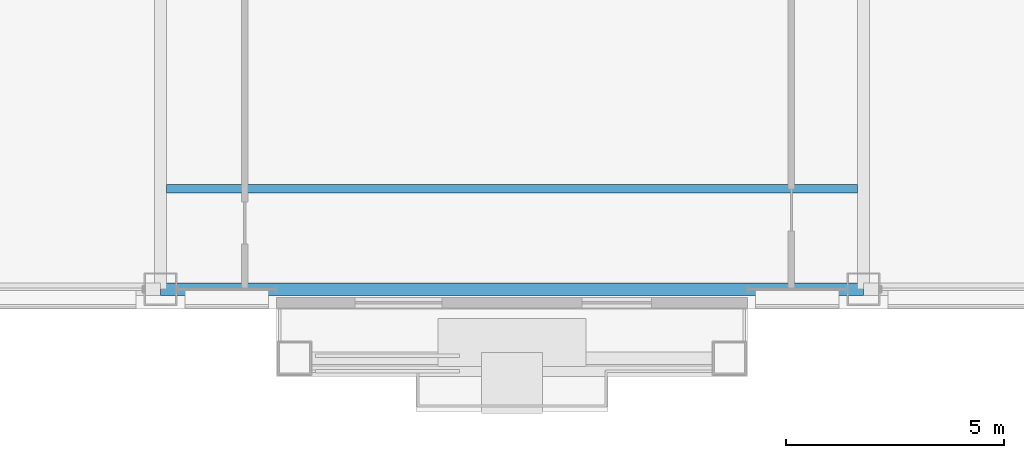
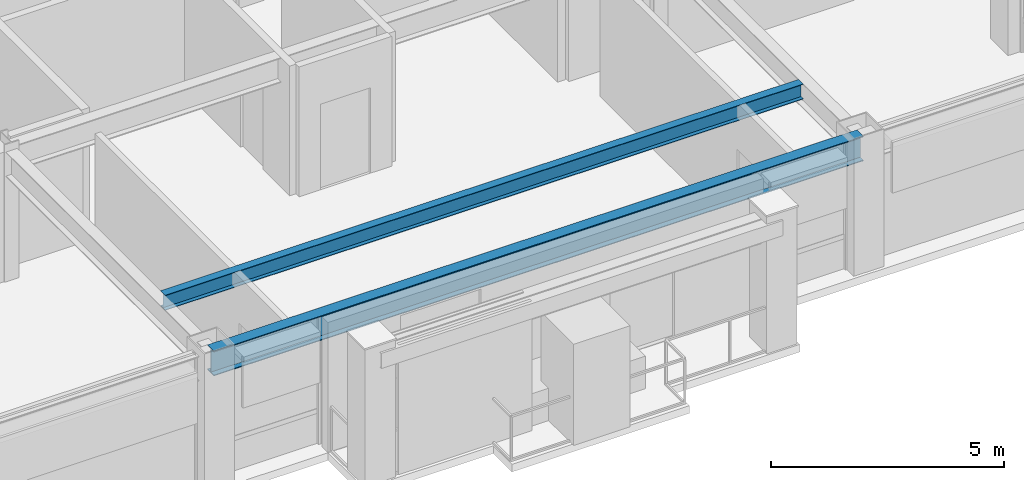
# One storey, part 7 of 31: 2 beams.
"""IFC4 building model written with IfcOpenShell, lengths in metres."""

from ifc_helpers import new_model, si_unit, direction, frame, origin, origin_2d, place, context, subcontext, project, spatial, i_section, extrude, material, material_profile, profile_set, type_object, element, save


model = new_model("IFC4")

# Units and contexts
model_context = context("Model", 3, precision=1e-05, world=origin(), true_north=direction((0.0, 1.0)))
body_context = subcontext(model_context, "Body", "Model", "MODEL_VIEW")
ifc_project = project(units=[si_unit("LENGTHUNIT", "METRE"), si_unit("AREAUNIT", "SQUARE_METRE"), si_unit("VOLUMEUNIT", "CUBIC_METRE"), si_unit("PLANEANGLEUNIT", "RADIAN"), si_unit("MASSUNIT", "GRAM", prefix="KILO")], contexts=[model_context])

# Site, building, storey
site_placement = place(None, origin())
site = spatial("IfcSite", under=ifc_project, at=site_placement, CompositionType="ELEMENT")
building_placement = place(site_placement, origin())
building = spatial("IfcBuilding", under=site, at=building_placement, Name="Brelmoor Portico Tower", CompositionType="ELEMENT")
storey_placement = place(building_placement, frame((0.0, 0.0, 176.699951171875)))
storey = spatial("IfcBuildingStorey", under=building, at=storey_placement, Name="L46", CompositionType="ELEMENT", Elevation=176.699951171875)

# Beams
ifc_material = material(Name="Steel Q355B", Category="steel")
ifc_material_profile_1 = material_profile(ifc_material, i_section(OverallWidth=0.199951171875, OverallDepth=0.39990234375, WebThickness=0.008056640625, FlangeThickness=0.012939453125, at=origin_2d()), Name="HN 400x200x8x13")
ifc_profile_set_1 = profile_set([ifc_material_profile_1], Name="Steel Q355B")
beam_type_1 = type_object("IfcBeamType", Name="BM-JS-400", PredefinedType="JOIST", material=ifc_profile_set_1)
beam_1_placement = place(storey_placement, frame((-7.909912109375, -16.25, 3.199951171875), z_axis=(1.0, 0.0, 0.0), x_axis=(0.0, 1.0, 0.0)))
element("IfcBeam", 1, at=beam_1_placement, inside=storey, type_object=beam_type_1, Name="L46 Secondary Composite Joist JS-C01", PredefinedType="JOIST", context=body_context, shape_type="SweptSolid", body=[
    extrude(i_section(OverallWidth=0.199951171875, OverallDepth=0.39990234375, WebThickness=0.008056640625, FlangeThickness=0.012939453125, at=origin_2d()), origin(), (0.0, 0.0, 1.0), 15.81982421875),
])
ifc_material_profile_2 = material_profile(ifc_material, i_section(OverallWidth=0.280029296875, OverallDepth=0.64990234375, WebThickness=0.012939453125, FlangeThickness=0.02197265625, at=origin_2d()), Name="HN 650x280x13x22")
ifc_profile_set_2 = profile_set([ifc_material_profile_2], Name="Steel Q355B")
beam_type_2 = type_object("IfcBeamType", Name="BM-SP-650", PredefinedType="SPANDREL", material=ifc_profile_set_2)
beam_2_placement = place(storey_placement, frame((-8.050048828125, -18.550048828125, 3.074951171875), z_axis=(1.0, 0.0, 0.0), x_axis=(0.0, 1.0, 0.0)))
element("IfcBeam", 2, at=beam_2_placement, inside=storey, type_object=beam_type_2, Name="L46 Perimeter Spandrel Beam SP-02", PredefinedType="SPANDREL", context=body_context, shape_type="SweptSolid", body=[
    extrude(i_section(OverallWidth=0.280029296875, OverallDepth=0.64990234375, WebThickness=0.012939453125, FlangeThickness=0.02197265625, at=origin_2d()), origin(), (0.0, 0.0, 1.0), 16.10009765625),
])

save(model, "model.ifc")
